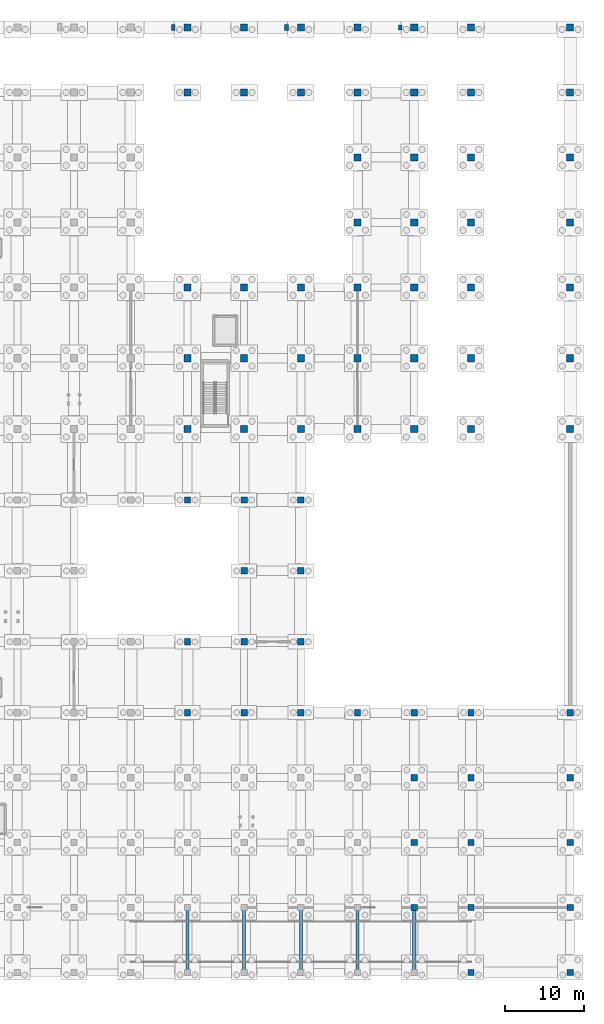
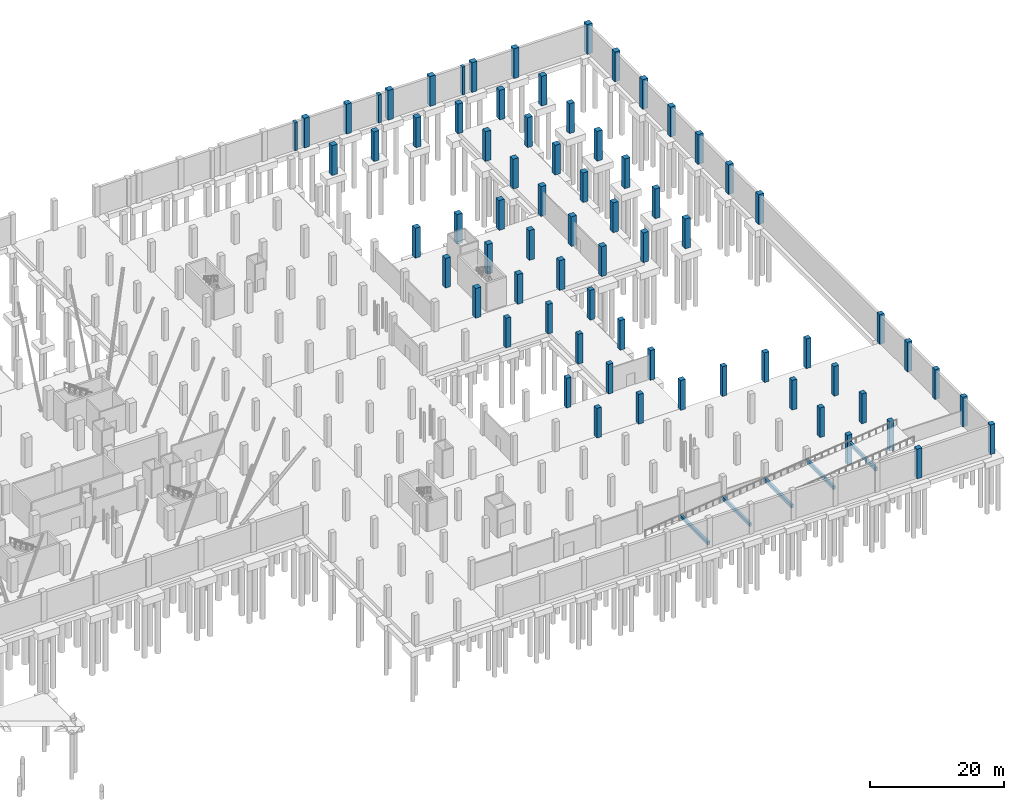
# One storey, part 20 of 42: 72 columns, 5 beams.
"""IFC4 building model written with IfcOpenShell, lengths in metres."""

from ifc_helpers import new_model, si_unit, direction, frame, origin, origin_2d, place, context, subcontext, project, spatial, rectangle, extrude, material, material_profile, profile_set, type_object, element, save


model = new_model("IFC4")

# Units and contexts
model_context = context("Model", 3, precision=1e-05, world=origin(), true_north=direction((0.0, 1.0)))
body_context = subcontext(model_context, "Body", "Model", "MODEL_VIEW")
ifc_project = project(units=[si_unit("LENGTHUNIT", "METRE"), si_unit("AREAUNIT", "SQUARE_METRE"), si_unit("VOLUMEUNIT", "CUBIC_METRE"), si_unit("PLANEANGLEUNIT", "RADIAN"), si_unit("MASSUNIT", "GRAM", prefix="KILO")], contexts=[model_context])

# Site, building, storey
site_placement = place(None, origin())
site = spatial("IfcSite", under=ifc_project, at=site_placement, CompositionType="ELEMENT")
building_placement = place(site_placement, origin())
building = spatial("IfcBuilding", under=site, at=building_placement, Name="Sundgate Opera House", CompositionType="ELEMENT")
storey_placement = place(building_placement, frame((0.0, 0.0, -5.39990234375)))
storey = spatial("IfcBuildingStorey", under=building, at=storey_placement, Name="B01", CompositionType="ELEMENT", Elevation=-5.39990234375)

# Columns
ifc_material_1 = material(Name="Concrete C40/50", Category="concrete")
ifc_material_profile_1 = material_profile(ifc_material_1, rectangle(XDim=0.800048828125, YDim=0.800048828125, at=origin_2d()), Name="RC 800x800")
ifc_profile_set_1 = profile_set([ifc_material_profile_1], Name="Concrete C40/50")
column_type_1 = type_object("IfcColumnType", Name="CL-RC-800", PredefinedType="COLUMN", material=ifc_profile_set_1)
for number, where, z_axis, x_axis, name in (
    (1, (131.39990234375, 33.0, 0.0), (0.0, 0.0, 1.0), (1.0, 0.0, 0.0), "B01 Column C0959"),
    (2, (131.39990234375, 42.0, 0.0), (0.0, 0.0, 1.0), (1.0, 0.0, 0.0), "B01 Column C0963"),
    (3, (131.39990234375, 60.0, 0.0), (0.0, 0.0, 1.0), (1.0, 0.0, 0.0), "B01 Column C0967"),
    (4, (138.60009765625, 33.0, 0.0), (0.0, 0.0, 1.0), (1.0, 0.0, 0.0), "B01 Column C1009"),
    (5, (138.60009765625, 42.0, 0.0), (0.0, 0.0, 1.0), (1.0, 0.0, 0.0), "B01 Column C1013"),
    (6, (138.60009765625, 51.0, 0.0), (0.0, 0.0, 1.0), (1.0, 0.0, 0.0), "B01 Column C1017"),
    (7, (138.60009765625, 60.0, 0.0), (0.0, 0.0, 1.0), (1.0, 0.0, 0.0), "B01 Column C1021"),
    (8, (145.800048828125, 33.0, 0.0), (0.0, 0.0, 1.0), (1.0, 0.0, 0.0), "B01 Column C1063"),
    (9, (145.800048828125, 42.0, 0.0), (0.0, 0.0, 1.0), (1.0, 0.0, 0.0), "B01 Column C1067"),
    (10, (145.800048828125, 51.0, 0.0), (0.0, 0.0, 1.0), (1.0, 0.0, 0.0), "B01 Column C1071"),
    (11, (145.800048828125, 60.0, 0.0), (0.0, 0.0, 1.0), (1.0, 0.0, 0.0), "B01 Column C1075"),
    (12, (153.0, 33.0, 0.0), (0.0, 0.0, 1.0), (1.0, 0.0, 0.0), "B01 Column C1118"),
    (13, (160.199951171875, 8.25, 0.0), (0.0, 0.0, 1.0), (1.0, 0.0, 0.0), "B01 Column C1152"),
    (14, (160.199951171875, 16.5, 0.0), (0.0, 0.0, 1.0), (1.0, 0.0, 0.0), "B01 Column C1155"),
    (15, (160.199951171875, 24.75, 0.0), (0.0, 0.0, 1.0), (1.0, 0.0, 0.0), "B01 Column C1158"),
    (16, (160.199951171875, 33.0, 0.0), (0.0, 0.0, 1.0), (1.0, 0.0, 0.0), "B01 Column C1161"),
    (17, (167.39990234375, 0.0, 0.0), (0.0, 0.0, 1.0), (1.0, 0.0, 0.0), "B01 Column C1192"),
    (18, (167.39990234375, 8.25, 0.0), (0.0, 0.0, 1.0), (1.0, 0.0, 0.0), "B01 Column C1193"),
    (19, (167.39990234375, 16.5, 0.0), (0.0, 0.0, 1.0), (1.0, 0.0, 0.0), "B01 Column C1194"),
    (20, (167.39990234375, 24.75, 0.0), (0.0, 0.0, 1.0), (1.0, 0.0, 0.0), "B01 Column C1195"),
    (21, (167.39990234375, 33.0, 0.0), (0.0, 0.0, 1.0), (1.0, 0.0, 0.0), "B01 Column C1196"),
    (22, (180.0, 0.0, 0.0), (0.0, 0.0, 1.0), (1.0, 0.0, 0.0), "B01 Column C1225"),
    (23, (180.0, 8.25, 0.0), (0.0, 0.0, 1.0), (1.0, 0.0, 0.0), "B01 Column C1227"),
    (24, (180.0, 16.5, 0.0), (0.0, 0.0, 1.0), (1.0, 0.0, 0.0), "B01 Column C1229"),
    (25, (180.0, 24.75, 0.0), (0.0, 0.0, 1.0), (1.0, 0.0, 0.0), "B01 Column C1231"),
    (26, (180.0, 33.0, 0.0), (0.0, 0.0, 1.0), (1.0, 0.0, 0.0), "B01 Column C1233"),
):
    element("IfcColumn", number, at=place(storey_placement, frame(where, z_axis=z_axis, x_axis=x_axis)), inside=storey, type_object=column_type_1, Name=name, PredefinedType="COLUMN", context=body_context, shape_type="SweptSolid", body=[
        extrude(rectangle(XDim=0.800048828125, YDim=0.800048828125, at=origin_2d()), origin(), (0.0, 0.0, 1.0), 5.39990234375),
    ])
ifc_material_2 = material(Name="Concrete C40/50", Category="concrete")
ifc_material_profile_2 = material_profile(ifc_material_2, rectangle(XDim=0.89990234375, YDim=0.89990234375, at=origin_2d()), Name="RC 900x900")
ifc_profile_set_2 = profile_set([ifc_material_profile_2], Name="Concrete C40/50")
column_type_2 = type_object("IfcColumnType", Name="CL-RC-900", PredefinedType="COLUMN", material=ifc_profile_set_2)
for number, where, z_axis, x_axis, name in (
    (27, (131.39990234375, 69.0, 0.0), (0.0, 0.0, 1.0), (1.0, 0.0, 0.0), "B01 Column C0971"),
    (28, (131.39990234375, 78.0, 0.0), (0.0, 0.0, 1.0), (1.0, 0.0, 0.0), "B01 Column C0977"),
    (29, (131.39990234375, 87.0, 0.0), (0.0, 0.0, 1.0), (1.0, 0.0, 0.0), "B01 Column C0983"),
    (30, (131.39990234375, 111.75, 0.0), (0.0, 0.0, 1.0), (1.0, 0.0, 0.0), "B01 Column C0989"),
    (31, (131.39990234375, 120.0, 0.0), (0.0, 0.0, 1.0), (1.0, 0.0, 0.0), "B01 Column C0992"),
    (32, (138.60009765625, 69.0, 0.0), (0.0, 0.0, 1.0), (1.0, 0.0, 0.0), "B01 Column C1025"),
    (33, (138.60009765625, 78.0, 0.0), (0.0, 0.0, 1.0), (1.0, 0.0, 0.0), "B01 Column C1031"),
    (34, (138.60009765625, 87.0, 0.0), (0.0, 0.0, 1.0), (1.0, 0.0, 0.0), "B01 Column C1037"),
    (35, (138.60009765625, 111.75, 0.0), (0.0, 0.0, 1.0), (1.0, 0.0, 0.0), "B01 Column C1043"),
    (36, (138.60009765625, 120.0, 0.0), (0.0, 0.0, 1.0), (1.0, 0.0, 0.0), "B01 Column C1046"),
    (37, (145.800048828125, 69.0, 0.0), (0.0, 0.0, 1.0), (1.0, 0.0, 0.0), "B01 Column C1079"),
    (38, (145.800048828125, 78.0, 0.0), (0.0, 0.0, 1.0), (1.0, 0.0, 0.0), "B01 Column C1085"),
    (39, (145.800048828125, 87.0, 0.0), (0.0, 0.0, 1.0), (1.0, 0.0, 0.0), "B01 Column C1091"),
    (40, (145.800048828125, 111.75, 0.0), (0.0, 0.0, 1.0), (1.0, 0.0, 0.0), "B01 Column C1097"),
    (41, (145.800048828125, 120.0, 0.0), (0.0, 0.0, 1.0), (1.0, 0.0, 0.0), "B01 Column C1100"),
    (42, (153.0, 69.0, 0.0), (0.0, 0.0, 1.0), (1.0, 0.0, 0.0), "B01 Column C1122"),
    (43, (153.0, 78.0, 0.0), (0.0, 0.0, 1.0), (1.0, 0.0, 0.0), "B01 Column C1126"),
    (44, (153.0, 87.0, 0.0), (0.0, 0.0, 1.0), (1.0, 0.0, 0.0), "B01 Column C1130"),
    (45, (153.0, 95.25, 0.0), (0.0, 0.0, 1.0), (1.0, 0.0, 0.0), "B01 Column C1134"),
    (46, (153.0, 103.5, 0.0), (0.0, 0.0, 1.0), (1.0, 0.0, 0.0), "B01 Column C1138"),
    (47, (153.0, 111.75, 0.0), (0.0, 0.0, 1.0), (1.0, 0.0, 0.0), "B01 Column C1142"),
    (48, (153.0, 120.0, 0.0), (0.0, 0.0, 1.0), (1.0, 0.0, 0.0), "B01 Column C1146"),
    (49, (160.199951171875, 69.0, 0.0), (0.0, 0.0, 1.0), (1.0, 0.0, 0.0), "B01 Column C1164"),
    (50, (160.199951171875, 78.0, 0.0), (0.0, 0.0, 1.0), (1.0, 0.0, 0.0), "B01 Column C1168"),
    (51, (160.199951171875, 87.0, 0.0), (0.0, 0.0, 1.0), (1.0, 0.0, 0.0), "B01 Column C1172"),
    (52, (160.199951171875, 95.25, 0.0), (0.0, 0.0, 1.0), (1.0, 0.0, 0.0), "B01 Column C1176"),
    (53, (160.199951171875, 103.5, 0.0), (0.0, 0.0, 1.0), (1.0, 0.0, 0.0), "B01 Column C1180"),
    (54, (160.199951171875, 111.75, 0.0), (0.0, 0.0, 1.0), (1.0, 0.0, 0.0), "B01 Column C1184"),
    (55, (160.199951171875, 120.0, 0.0), (0.0, 0.0, 1.0), (1.0, 0.0, 0.0), "B01 Column C1188"),
    (56, (167.39990234375, 69.0, 0.0), (0.0, 0.0, 1.0), (1.0, 0.0, 0.0), "B01 Column C1197"),
    (57, (167.39990234375, 78.0, 0.0), (0.0, 0.0, 1.0), (1.0, 0.0, 0.0), "B01 Column C1201"),
    (58, (167.39990234375, 87.0, 0.0), (0.0, 0.0, 1.0), (1.0, 0.0, 0.0), "B01 Column C1205"),
    (59, (167.39990234375, 95.25, 0.0), (0.0, 0.0, 1.0), (1.0, 0.0, 0.0), "B01 Column C1209"),
    (60, (167.39990234375, 103.5, 0.0), (0.0, 0.0, 1.0), (1.0, 0.0, 0.0), "B01 Column C1213"),
    (61, (167.39990234375, 111.75, 0.0), (0.0, 0.0, 1.0), (1.0, 0.0, 0.0), "B01 Column C1217"),
    (62, (167.39990234375, 120.0, 0.0), (0.0, 0.0, 1.0), (1.0, 0.0, 0.0), "B01 Column C1221"),
    (63, (180.0, 69.0, 0.0), (0.0, 0.0, 1.0), (1.0, 0.0, 0.0), "B01 Column C1235"),
    (64, (180.0, 78.0, 0.0), (0.0, 0.0, 1.0), (1.0, 0.0, 0.0), "B01 Column C1237"),
    (65, (180.0, 87.0, 0.0), (0.0, 0.0, 1.0), (1.0, 0.0, 0.0), "B01 Column C1239"),
    (66, (180.0, 95.25, 0.0), (0.0, 0.0, 1.0), (1.0, 0.0, 0.0), "B01 Column C1241"),
    (67, (180.0, 103.5, 0.0), (0.0, 0.0, 1.0), (1.0, 0.0, 0.0), "B01 Column C1243"),
    (68, (180.0, 111.75, 0.0), (0.0, 0.0, 1.0), (1.0, 0.0, 0.0), "B01 Column C1245"),
    (69, (180.0, 120.0, 0.0), (0.0, 0.0, 1.0), (1.0, 0.0, 0.0), "B01 Column C1247"),
):
    element("IfcColumn", number, at=place(storey_placement, frame(where, z_axis=z_axis, x_axis=x_axis)), inside=storey, type_object=column_type_2, Name=name, PredefinedType="COLUMN", context=body_context, shape_type="SweptSolid", body=[
        extrude(rectangle(XDim=0.89990234375, YDim=0.89990234375, at=origin_2d()), origin(), (0.0, 0.0, 1.0), 5.39990234375),
    ])
ifc_material_3 = material(Name="Precast concrete C40/50", Category="concrete")
ifc_material_profile_3 = material_profile(ifc_material_3, rectangle(XDim=0.449951171875, YDim=0.64990234375, at=origin_2d()), Name="RC 450x650")
ifc_profile_set_3 = profile_set([ifc_material_profile_3], Name="Precast concrete C40/50")
column_type_3 = type_object("IfcColumnType", Name="PL-RC-450", PredefinedType="PILASTER", material=ifc_profile_set_3)
column_placement = place(storey_placement, frame((158.39990234375, 120.0, 0.0), z_axis=(0.0, 0.0, 1.0), x_axis=(1.0, 0.0, 0.0)))
element("IfcColumn", 70, at=column_placement, inside=storey, type_object=column_type_3, Name="B01 Facade Pilaster C1261", PredefinedType="PILASTER", context=body_context, shape_type="SweptSolid", body=[
    extrude(rectangle(XDim=0.449951171875, YDim=0.64990234375, at=origin_2d()), origin(), (0.0, 0.0, 1.0), 5.079833984375),
])
ifc_material_4 = material(Name="Precast concrete C40/50", Category="concrete")
ifc_material_profile_4 = material_profile(ifc_material_4, rectangle(XDim=0.5, YDim=0.75, at=origin_2d()), Name="RC 500x750")
ifc_profile_set_4 = profile_set([ifc_material_profile_4], Name="Precast concrete C40/50")
column_type_4 = type_object("IfcColumnType", Name="PL-RC-500", PredefinedType="PILASTER", material=ifc_profile_set_4)
for number, where, z_axis, x_axis, name in (
    (71, (129.60009765625, 120.0, 0.0), (0.0, 0.0, 1.0), (1.0, 0.0, 0.0), "B01 Facade Pilaster C1255"),
    (72, (144.0, 120.0, 0.0), (0.0, 0.0, 1.0), (1.0, 0.0, 0.0), "B01 Facade Pilaster C1258"),
):
    element("IfcColumn", number, at=place(storey_placement, frame(where, z_axis=z_axis, x_axis=x_axis)), inside=storey, type_object=column_type_4, Name=name, PredefinedType="PILASTER", context=body_context, shape_type="SweptSolid", body=[
        extrude(rectangle(XDim=0.5, YDim=0.75, at=origin_2d()), origin(), (0.0, 0.0, 1.0), 5.079833984375),
    ])

# Beams
ifc_material_5 = material(Name="Concrete C35/45", Category="concrete")
ifc_material_profile_5 = material_profile(ifc_material_5, rectangle(XDim=0.39990234375, YDim=0.60009765625, at=origin_2d()), Name="RC 400x600")
ifc_profile_set_5 = profile_set([ifc_material_profile_5], Name="Concrete C35/45")
beam_type = type_object("IfcBeamType", Name="BM-RC-400x600", PredefinedType="BEAM", material=ifc_profile_set_5)
for number, where, z_axis, x_axis, name in (
    (73, (131.39990234375, 0.0, 0.54541015625), (0.0, 1.0, 0.0), (-1.0, 0.0, 0.0), "B01 Vehicle Ramp Transverse Support Beam BS042"),
    (74, (138.60009765625, 0.0, 1.38671875), (0.0, 1.0, 0.0), (-1.0, 0.0, 0.0), "B01 Vehicle Ramp Transverse Support Beam BS043"),
    (75, (145.800048828125, 0.0, 2.22802734375), (0.0, 1.0, 0.0), (-1.0, 0.0, 0.0), "B01 Vehicle Ramp Transverse Support Beam BS044"),
    (76, (153.0, 0.0, 3.069580078125), (0.0, 1.0, 0.0), (-1.0, 0.0, 0.0), "B01 Vehicle Ramp Transverse Support Beam BS045"),
    (77, (160.199951171875, 0.0, 3.910888671875), (0.0, 1.0, 0.0), (-1.0, 0.0, 0.0), "B01 Vehicle Ramp Transverse Support Beam BS046"),
):
    element("IfcBeam", number, at=place(storey_placement, frame(where, z_axis=z_axis, x_axis=x_axis)), inside=storey, type_object=beam_type, Name=name, PredefinedType="BEAM", context=body_context, shape_type="SweptSolid", body=[
        extrude(rectangle(XDim=0.39990234375, YDim=0.60009765625, at=origin_2d()), origin(), (0.0, 0.0, 1.0), 8.25),
    ])

save(model, "model.ifc")
